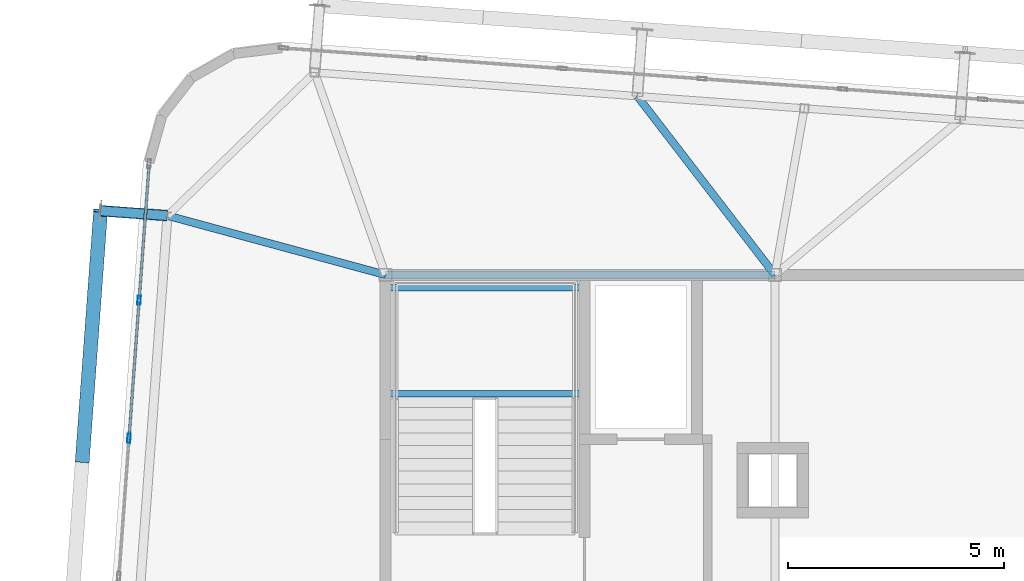
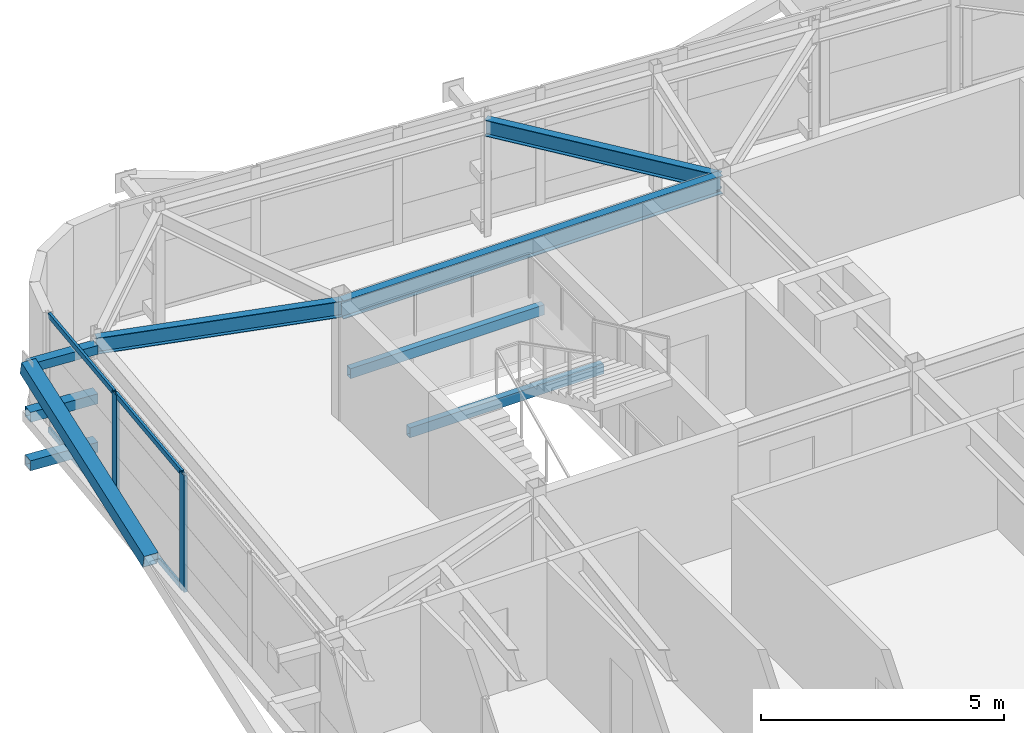
# One storey, part 17 of 42: 10 members, 5 beams, 1 element without a shape of its own.
"""IFC4 building model written with IfcOpenShell, lengths in metres."""

from ifc_helpers import new_model, si_unit, direction, frame, origin, origin_2d, place, context, subcontext, project, spatial, hollow_rectangle, i_section, extrude, source, transform, mapped, material, layer, layer_set, material_profile, profile_set, type_object, element, aggregate, save


model = new_model("IFC4")

# Units and contexts
model_context = context("Model", 3, precision=1e-05, world=origin(), true_north=direction((0.0, 1.0)))
body_context = subcontext(model_context, "Body", "Model", "MODEL_VIEW")
ifc_project = project(units=[si_unit("LENGTHUNIT", "METRE"), si_unit("AREAUNIT", "SQUARE_METRE"), si_unit("VOLUMEUNIT", "CUBIC_METRE"), si_unit("PLANEANGLEUNIT", "RADIAN"), si_unit("MASSUNIT", "GRAM", prefix="KILO")], contexts=[model_context])

# Site, building, storey
site_placement = place(None, origin())
site = spatial("IfcSite", under=ifc_project, at=site_placement, CompositionType="ELEMENT")
building_placement = place(site_placement, origin())
building = spatial("IfcBuilding", under=site, at=building_placement, Name="Taldren Reach Tower", CompositionType="ELEMENT")
storey_placement = place(building_placement, frame((0.0, 0.0, 220.85009765625)))
storey = spatial("IfcBuildingStorey", under=building, at=storey_placement, Name="L67", CompositionType="ELEMENT", Elevation=220.85009765625)

# Beams
ifc_material_1 = material(Name="Steel Gr 350 (350PLUS)", Category="steel")
ifc_material_profile_1 = material_profile(ifc_material_1, i_section(OverallWidth=0.19091796875, OverallDepth=0.4599609375, WebThickness=0.010009765625, FlangeThickness=0.01611328125, at=origin_2d()), Name="460UB82.1")
ifc_profile_set_1 = profile_set([ifc_material_profile_1], Name="Steel Gr 350 (350PLUS)")
beam_type_1 = type_object("IfcBeamType", Name="BM-UB460A", PredefinedType="BEAM", material=ifc_profile_set_1)
shared_shape_1 = source(origin(), body_context, "Body", "SweptSolid", [
    extrude(i_section(OverallWidth=0.19091796875, OverallDepth=0.4599609375, WebThickness=0.010009765625, FlangeThickness=0.01611328125, at=origin_2d()), origin(), (0.0, 0.0, 1.0), 9.0),
])
beam_1_placement = place(storey_placement, frame((19.0, 32.0, 2.699951171875), z_axis=(1.0, 0.0, 0.0), x_axis=(0.0, 1.0, 0.0)))
element("IfcBeam", 1, at=beam_1_placement, inside=storey, type_object=beam_type_1, Name="Core-spine girder L67-SP04", PredefinedType="BEAM", context=body_context, shape_type="MappedRepresentation", body=[
    mapped(shared_shape_1, transform((0.0, 0.0, 0.0), scale=1.0)),
])
ifc_material_profile_2 = material_profile(ifc_material_1, i_section(OverallWidth=0.177978515625, OverallDepth=0.406005859375, WebThickness=0.0078125, FlangeThickness=0.0126953125, at=origin_2d()), Name="410UB59.7")
ifc_profile_set_2 = profile_set([ifc_material_profile_2], Name="Steel Gr 350 (350PLUS)")
beam_type_2 = type_object("IfcBeamType", Name="BM-UB410", PredefinedType="BEAM", material=ifc_profile_set_2)
shared_shape_2 = source(origin(), body_context, "Body", "SweptSolid", [
    extrude(i_section(OverallWidth=0.177978515625, OverallDepth=0.406005859375, WebThickness=0.0078125, FlangeThickness=0.0126953125, at=origin_2d()), origin(), (0.0, 0.0, 1.0), 5.213623046875),
])
beam_2_placement = place(storey_placement, frame((28.0, 32.0, 2.726806640625), z_axis=(-0.61002980411, 0.792378468976, 0.0), x_axis=(-0.792378468976, -0.61002980411, 0.0)))
element("IfcBeam", 2, at=beam_2_placement, inside=storey, type_object=beam_type_2, Name="Primary floor girder B5-N2 L67", PredefinedType="BEAM", context=body_context, shape_type="MappedRepresentation", body=[
    mapped(shared_shape_2, transform((0.0, 0.0, 0.0), scale=1.0)),
])
shared_shape_3 = source(origin(), body_context, "Body", "SweptSolid", [
    extrude(i_section(OverallWidth=0.177978515625, OverallDepth=0.406005859375, WebThickness=0.0078125, FlangeThickness=0.0126953125, at=origin_2d()), origin(), (0.0, 0.0, 1.0), 5.224365234375),
])
beam_3_placement = place(storey_placement, frame((19.0, 32.0, 2.726806640625), z_axis=(-0.965049032336, 0.262069390022, 0.0), x_axis=(-0.262069390022, -0.965049032336, 0.0)))
element("IfcBeam", 3, at=beam_3_placement, inside=storey, type_object=beam_type_2, Name="Primary floor girder B5-W3 L67", PredefinedType="BEAM", context=body_context, shape_type="MappedRepresentation", body=[
    mapped(shared_shape_3, transform((0.0, 0.0, 0.0), scale=1.0)),
])

# Members
ifc_material_2 = material(Name="Steel Gr 450 (C450L0)", Category="steel")
ifc_material_profile_3 = material_profile(ifc_material_2, hollow_rectangle(XDim=0.219970703125, YDim=0.219970703125, WallThickness=0.00830078125, at=origin_2d()), Name="220x220x8.2SHS")
ifc_profile_set_3 = profile_set([ifc_material_profile_3], Name="Steel Gr 450 (C450L0)")
member_type_1 = type_object("IfcMemberType", Name="MB-TIE219", PredefinedType="STRUT", material=ifc_profile_set_3)
shared_shape_4 = source(origin(), body_context, "Body", "SweptSolid", [
    extrude(hollow_rectangle(XDim=0.219970703125, YDim=0.219970703125, WallThickness=0.00830078125, at=origin_2d()), origin(), (0.0, 0.0, 1.0), 1.5458984375),
])
member_1_placement = place(storey_placement, frame((13.9541015625, 33.369384765625, 2.64990234375), z_axis=(-0.997311530447, 0.073278313559, 0.0), x_axis=(-0.073278313559, -0.997311530447, 0.0)))
element("IfcMember", 4, at=member_1_placement, inside=storey, type_object=member_type_1, Name="Exoskeleton diaphragm tie strut B5-W3 L67", PredefinedType="STRUT", context=body_context, shape_type="MappedRepresentation", body=[
    mapped(shared_shape_4, transform((0.0, 0.0, 0.0), scale=1.0)),
])
ifc_material_profile_4 = material_profile(ifc_material_2, hollow_rectangle(XDim=0.324951171875, YDim=0.324951171875, WallThickness=0.0126953125, at=origin_2d()), Name="325x325x12.7SHS")
ifc_profile_set_4 = profile_set([ifc_material_profile_4], Name="Steel Gr 450 (C450L0)")
member_type_2 = type_object("IfcMemberType", Name="MB-BR324", PredefinedType="BRACE", material=ifc_profile_set_4)
shared_shape_5 = source(origin(), body_context, "Body", "SweptSolid", [
    extrude(hollow_rectangle(XDim=0.324951171875, YDim=0.324951171875, WallThickness=0.0126953125, at=origin_2d()), origin(), (0.0, 0.0, 1.0), 5.926025390625),
])
member_2_placement = place(storey_placement, frame((11.987548828125, 27.6982421875, 1.434814453125), z_axis=(0.071685935393, 0.976123486939, 0.205046494513), x_axis=(-0.997314185625, 0.073242167855, 0.0)))
element("IfcMember", 5, at=member_2_placement, inside=storey, type_object=member_type_2, Name="Exoskeleton Diagrid Brace B5-W2 L67", PredefinedType="BRACE", context=body_context, shape_type="MappedRepresentation", body=[
    mapped(shared_shape_5, transform((0.0, 0.0, 0.0), scale=1.0)),
])
ifc_material_3 = material(Name="Steel Gr 350 (C350L0)", Category="steel")
ifc_material_profile_5 = material_profile(ifc_material_3, hollow_rectangle(XDim=0.25, YDim=0.25, WallThickness=0.010009765625, at=origin_2d()), Name="250x250x10.0SHS")
ifc_profile_set_5 = profile_set([ifc_material_profile_5], Name="Steel Gr 350 (C350L0)")
member_type_3 = type_object("IfcMemberType", Name="MB-POST250", PredefinedType="POST", material=ifc_profile_set_5)
shared_shape_6 = source(origin(), body_context, "Body", "SweptSolid", [
    extrude(hollow_rectangle(XDim=0.25, YDim=0.25, WallThickness=0.010009765625, at=origin_2d()), origin(), (0.0, 0.0, 1.0), 1.5458984375),
])
for number, where, z_axis, x_axis, name in (
    (6, (13.9541015625, 33.369384765625, 0.219970703125), (-0.997311530447, 0.073278313559, 0.0), (-0.073278313559, -0.997311530447, 0.0), "Exoskeleton base diaphragm tie strut B5-W3 L67"),
    (7, (13.9541015625, 33.369384765625, 1.434814453125), (-0.997311530447, 0.073278313559, 0.0), (-0.073278313559, -0.997311530447, 0.0), "Exoskeleton mid-tier diaphragm tie B5-W3 L67"),
):
    element("IfcMember", number, at=place(storey_placement, frame(where, z_axis=z_axis, x_axis=x_axis)), inside=storey, type_object=member_type_3, Name=name, PredefinedType="POST", context=body_context, shape_type="MappedRepresentation", body=[
        mapped(shared_shape_6, transform((0.0, 0.0, 0.0), scale=1.0)),
    ])

# Curtain wall, members
ifc_material_4 = material(Name="Aluminium and Low-E Glass Unitised System", Category="aluminium")
ifc_layer = layer(ifc_material_4, 0.159912109375)
ifc_layer_set = layer_set([ifc_layer], Name="Aluminium and Low-E Glass Unitised System")
curtain_wall_type = type_object("IfcCurtainWallType", Name="CW-SYS-6", PredefinedType="NOTDEFINED", material=ifc_layer_set)
curtain_wall_placement = place(storey_placement, origin())
curtain_wall = element("IfcCurtainWall", 8, at=curtain_wall_placement, inside=storey, type_object=curtain_wall_type, Name="Unitised curtain wall CW-L67-W", PredefinedType="NOTDEFINED")
ifc_material_5 = material(Name="Anodised Aluminium 6063-T6", Category="aluminium")
ifc_material_profile_6 = material_profile(ifc_material_5, hollow_rectangle(XDim=0.074951171875, YDim=0.2099609375, WallThickness=0.00439453125, at=origin_2d()), Name="ALU-210x75x4.5RHS")
ifc_profile_set_6 = profile_set([ifc_material_profile_6], Name="Anodised Aluminium 6063-T6")
member_type_4 = type_object("IfcMemberType", Name="CW-MUL-200", PredefinedType="MULLION", material=ifc_profile_set_6)
shared_shape_7 = source(origin(), body_context, "Body", "SweptSolid", [
    extrude(hollow_rectangle(XDim=0.074951171875, YDim=0.2099609375, WallThickness=0.00439453125, at=origin_2d()), origin(), (0.0, 0.0, 1.0), 2.929931640625),
])
member_3_placement = place(storey_placement, frame((13.30322265625, 31.411865234375, 0.0), z_axis=(0.0, 0.0, 1.0), x_axis=(0.997314470951, -0.073238282558, 0.0)))
member_3 = element("IfcMember", 9, at=member_3_placement, type_object=member_type_4, Name="CW-6 mullion 2", PredefinedType="MULLION", context=body_context, shape_type="MappedRepresentation", body=[
    mapped(shared_shape_7, transform((0.0, 0.0, 0.0), scale=1.0)),
])
member_4_placement = place(storey_placement, frame((13.06884765625, 28.220458984375, 0.0), z_axis=(0.0, 0.0, 1.0), x_axis=(0.997314470951, -0.073238282558, 0.0)))
member_4 = element("IfcMember", 10, at=member_4_placement, type_object=member_type_4, Name="CW-6 mullion 3", PredefinedType="MULLION", context=body_context, shape_type="MappedRepresentation", body=[
    mapped(shared_shape_7, transform((0.0, 0.0, 0.0), scale=1.0)),
])
ifc_material_profile_7 = material_profile(ifc_material_5, hollow_rectangle(XDim=0.06005859375, YDim=0.135009765625, WallThickness=0.00341796875, at=origin_2d()), Name="ALU-135x60x3.5RHS")
ifc_profile_set_7 = profile_set([ifc_material_profile_7], Name="Anodised Aluminium 6063-T6")
member_type_5 = type_object("IfcMemberType", Name="CW-TRN-150", PredefinedType="USERDEFINED", material=ifc_profile_set_7)
shared_shape_8 = source(origin(), body_context, "Body", "SweptSolid", [
    extrude(hollow_rectangle(XDim=0.06005859375, YDim=0.135009765625, WallThickness=0.00341796875, at=origin_2d()), origin(), (0.0, 0.0, 1.0), 3.08740234375),
])
member_5_placement = place(storey_placement, frame((13.531982421875, 34.5283203125, 0.02978515625), z_axis=(-0.073225031802, -0.997315443938, 0.0), x_axis=(0.997315443938, -0.073225031802, 0.0)))
member_5 = element("IfcMember", 11, at=member_5_placement, type_object=member_type_5, Name="CW-6 transom 1.1", ObjectType="TRANSOM", PredefinedType="USERDEFINED", context=body_context, shape_type="MappedRepresentation", body=[
    mapped(shared_shape_8, transform((0.0, 0.0, 0.0), scale=1.0)),
])
member_6_placement = place(storey_placement, frame((13.531982421875, 34.5283203125, 2.89990234375), z_axis=(-0.073225031802, -0.997315443938, 0.0), x_axis=(0.997315443938, -0.073225031802, 0.0)))
member_6 = element("IfcMember", 12, at=member_6_placement, type_object=member_type_5, Name="CW-6 transom 1.2", ObjectType="TRANSOM", PredefinedType="USERDEFINED", context=body_context, shape_type="MappedRepresentation", body=[
    mapped(shared_shape_8, transform((0.0, 0.0, 0.0), scale=1.0)),
])
shared_shape_9 = source(origin(), body_context, "Body", "SweptSolid", [
    extrude(hollow_rectangle(XDim=0.06005859375, YDim=0.135009765625, WallThickness=0.00341796875, at=origin_2d()), origin(), (0.0, 0.0, 1.0), 3.125),
])
member_7_placement = place(storey_placement, frame((13.30029296875, 31.37451171875, 0.02978515625), z_axis=(-0.073201175928, -0.997317195201, 0.0), x_axis=(0.997317195201, -0.073201175928, 0.0)))
member_7 = element("IfcMember", 13, at=member_7_placement, type_object=member_type_5, Name="CW-6 transom 2.1", ObjectType="TRANSOM", PredefinedType="USERDEFINED", context=body_context, shape_type="MappedRepresentation", body=[
    mapped(shared_shape_9, transform((0.0, 0.0, 0.0), scale=1.0)),
])
member_8_placement = place(storey_placement, frame((13.30029296875, 31.37451171875, 2.89990234375), z_axis=(-0.073201175928, -0.997317195201, 0.0), x_axis=(0.997317195201, -0.073201175928, 0.0)))
member_8 = element("IfcMember", 14, at=member_8_placement, type_object=member_type_5, Name="CW-6 transom 2.2", ObjectType="TRANSOM", PredefinedType="USERDEFINED", context=body_context, shape_type="MappedRepresentation", body=[
    mapped(shared_shape_9, transform((0.0, 0.0, 0.0), scale=1.0)),
])
aggregate(curtain_wall, [member_3, member_4, member_5, member_6, member_7, member_8])

# Beams
ifc_material_profile_8 = material_profile(ifc_material_3, hollow_rectangle(XDim=0.14990234375, YDim=0.25, WallThickness=0.009033203125, at=origin_2d()), Name="250x150x9.0RHS")
ifc_profile_set_8 = profile_set([ifc_material_profile_8], Name="Steel Gr 350 (C350L0)")
beam_type_3 = type_object("IfcBeamType", Name="LN-RHS250", PredefinedType="LINTEL", material=ifc_profile_set_8)
shared_shape_10 = source(origin(), body_context, "Body", "SweptSolid", [
    extrude(hollow_rectangle(XDim=0.14990234375, YDim=0.25, WallThickness=0.009033203125, at=origin_2d()), origin(), (0.0, 0.0, 1.0), 4.60009765625),
])
for number, where, z_axis, x_axis, name in (
    (15, (19.0, 29.2548828125, 1.27001953125), (1.0, 0.0, 0.0), (0.0, 1.0, 0.0), "Stair half-landing support beam ST1-L67-1"),
    (16, (19.0, 31.699951171875, 1.27001953125), (1.0, 0.0, 0.0), (0.0, 1.0, 0.0), "Stair half-landing support beam ST1-L67-2"),
):
    element("IfcBeam", number, at=place(storey_placement, frame(where, z_axis=z_axis, x_axis=x_axis)), inside=storey, type_object=beam_type_3, Name=name, PredefinedType="LINTEL", context=body_context, shape_type="MappedRepresentation", body=[
        mapped(shared_shape_10, transform((0.0, 0.0, 0.0), scale=1.0)),
    ])

save(model, "model.ifc")
